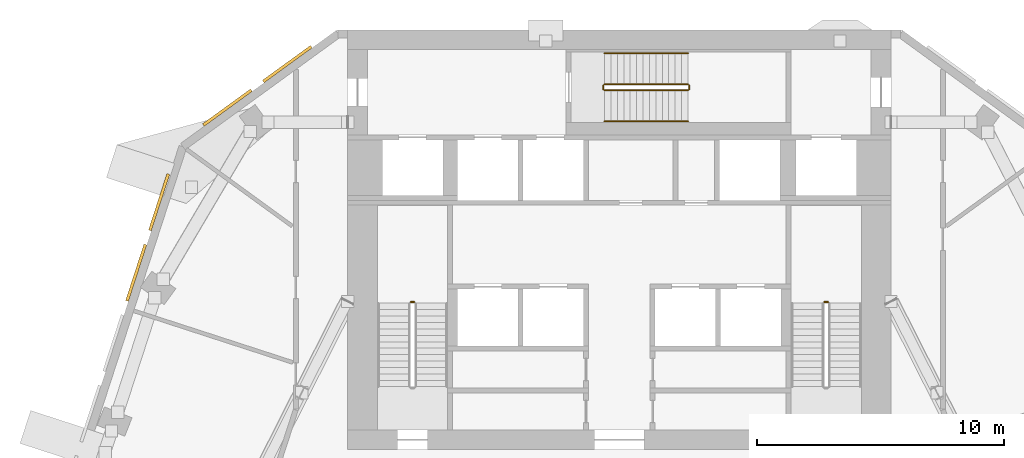
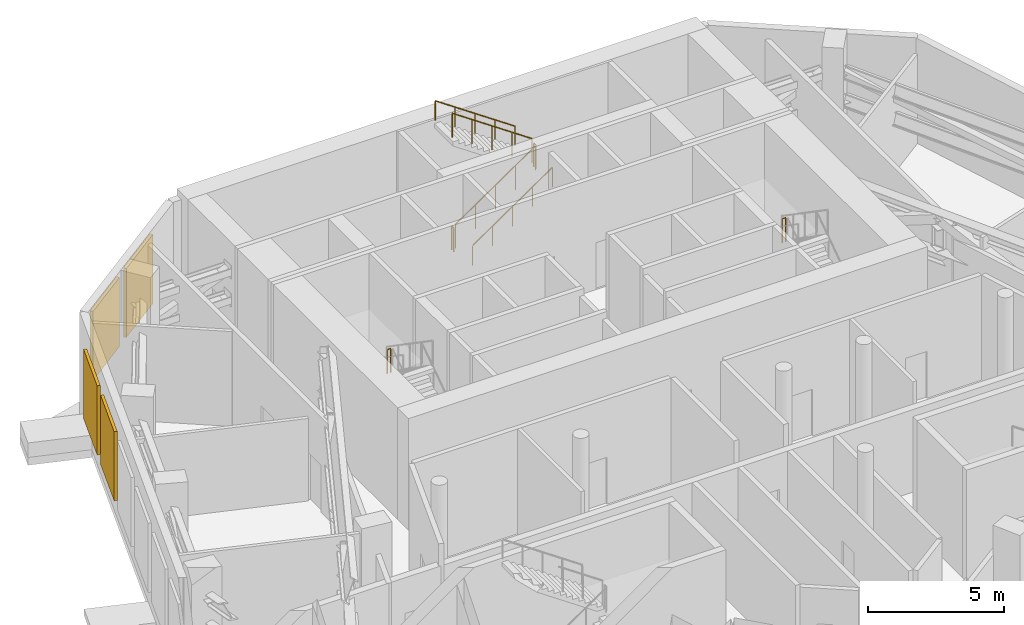
# One storey, part 15 of 16: 8 railings, 4 shading devices.
"""IFC4 building model written with IfcOpenShell, lengths in metres."""

import ifcopenshell
import ifcopenshell.guid

model = None  # the IFC model being written
_history = None  # IfcOwnerHistory: only IFC2X3 demands one
_inside = {}  # id of a spatial element -> (the spatial element, [elements in it])
_under = {}  # id of a project, library or spatial element -> (it, [spatial elements below it])
_declared = {}  # id of a project -> (the project, [libraries it declares])
_typed = {}  # id of a type object -> (the type object, [elements of that type])
_made_of = {}  # id of a material, layer set ... -> (it, [elements and type objects made of it])


def new_model(schema):
    """Start an empty IFC model of exactly this schema.

    Asked for "IFC4X3", IfcOpenShell would pick the latest addendum, in which some entities
    have other attributes; the version numbers below select the first issue.
    IFC2X3 requires an IfcOwnerHistory on every rooted entity: one is made here for all.
    """
    global model, _history
    if schema == "IFC4X3":
        model = ifcopenshell.file(schema_version=(4, 3, 0, 0))
    else:
        model = ifcopenshell.file(schema=schema)
    _inside.clear()
    _under.clear()
    _declared.clear()
    _typed.clear()
    _made_of.clear()
    _history = None
    if model.schema == "IFC2X3":
        org = make("IfcOrganization", Name="unknown")
        user = make(
            "IfcPersonAndOrganization",
            ThePerson=make("IfcPerson", FamilyName="unknown"),
            TheOrganization=org,
        )
        app = make(
            "IfcApplication",
            ApplicationDeveloper=org,
            Version="unknown",
            ApplicationFullName="unknown",
            ApplicationIdentifier="unknown",
        )
        _history = make(
            "IfcOwnerHistory",
            OwningUser=user,
            OwningApplication=app,
            ChangeAction="ADDED",
            CreationDate=0,
        )
    return model


def make(cls, **values):
    """One entity of the class cls with the attributes given. An attribute that is None is left unset."""
    return model.create_entity(
        cls, **{name: value for name, value in values.items() if value is not None}
    )


def rooted(cls, **values):
    """An entity with a GlobalId (a new one), such as an element, a storey or a relation."""
    return make(cls, GlobalId=ifcopenshell.guid.new(), OwnerHistory=_history, **values)


def si_unit(unit_type, name, prefix=None):
    """IfcSIUnit, for example si_unit("LENGTHUNIT", "METRE", prefix="MILLI")."""
    return make("IfcSIUnit", UnitType=unit_type, Prefix=prefix, Name=name)


def assignment(units):
    """IfcUnitAssignment: the units of a project."""
    return None if units is None else make("IfcUnitAssignment", Units=units)


def point(xyz):
    """IfcCartesianPoint."""
    return None if xyz is None else make("IfcCartesianPoint", Coordinates=xyz)


def direction(xyz):
    """IfcDirection."""
    return None if xyz is None else make("IfcDirection", DirectionRatios=xyz)


def frame(location, z_axis=None, x_axis=None):
    """IfcAxis2Placement3D, a coordinate frame: its origin and axes. An axis left out is left unset."""
    return make(
        "IfcAxis2Placement3D",
        Location=point(location),
        Axis=direction(z_axis),
        RefDirection=direction(x_axis),
    )


def frame_2d(location, x_axis=None):
    """IfcAxis2Placement2D, a coordinate frame in the plane: its origin and x axis."""
    return make(
        "IfcAxis2Placement2D", Location=point(location), RefDirection=direction(x_axis)
    )


def origin():
    """The frame at (0, 0, 0) with its axes left unset."""
    return frame((0.0, 0.0, 0.0))


def origin_2d():
    """The frame at (0, 0) in the plane with its x axis left unset."""
    return frame_2d((0.0, 0.0))


def place(relative_to, where):
    """IfcLocalPlacement: puts the frame where relative to a parent placement (None: the world)."""
    return make(
        "IfcLocalPlacement", PlacementRelTo=relative_to, RelativePlacement=where
    )


def context(
    kind, dimensions, precision=None, world=None, true_north=None, identifier=None
):
    """IfcGeometricRepresentationContext, for example the 3D "Model" context."""
    return make(
        "IfcGeometricRepresentationContext",
        ContextIdentifier=identifier,
        ContextType=kind,
        CoordinateSpaceDimension=dimensions,
        Precision=precision,
        WorldCoordinateSystem=world,
        TrueNorth=true_north,
    )


def subcontext(parent, identifier, kind, view, scale=None):
    """IfcGeometricRepresentationSubContext, for example "Body" below "Model"."""
    return make(
        "IfcGeometricRepresentationSubContext",
        ContextIdentifier=identifier,
        ContextType=kind,
        ParentContext=parent,
        TargetScale=scale,
        TargetView=view,
    )


def project(units=None, contexts=None):
    """IfcProject with its units and contexts."""
    return rooted(
        "IfcProject",
        Name="project",
        RepresentationContexts=contexts,
        UnitsInContext=assignment(units),
    )


def spatial(cls, under=None, at=None, **own):
    """A site, building, storey or space (cls), placed at a placement, below another one or the project."""
    s = rooted(cls, ObjectPlacement=at, **own)
    if under is not None:
        _under.setdefault(under.id(), (under, []))[1].append(s)
    return s


def profile(cls, at=None, kind="AREA", **sizes):
    """A parametric profile (cls). Its sizes go by their IFC names, for example OverallWidth=200.0."""
    return make(cls, ProfileType=kind, Position=at, **sizes)


def rectangle(**sizes):
    """IfcRectangleProfileDef."""
    return profile("IfcRectangleProfileDef", **sizes)


def circle(**sizes):
    """IfcCircleProfileDef."""
    return profile("IfcCircleProfileDef", **sizes)


def extrude(swept, where, along, depth):
    """IfcExtrudedAreaSolid: the profile swept, set in the frame where, extruded along a direction by depth."""
    return make(
        "IfcExtrudedAreaSolid",
        SweptArea=swept,
        Position=where,
        ExtrudedDirection=direction(along),
        Depth=depth,
    )


def shape(context_of_items, identifier, shape_type, items):
    """IfcShapeRepresentation: the items that make up one representation, for example the "Body"."""
    return make(
        "IfcShapeRepresentation",
        ContextOfItems=context_of_items,
        RepresentationIdentifier=identifier,
        RepresentationType=shape_type,
        Items=items,
    )


def material(Name=None, Category=None):
    """IfcMaterial."""
    return make("IfcMaterial", Name=Name, Category=Category)


def made_of(thing, what):
    """Note that an element or type object is made of a material, layer set ...; save() writes the relation."""
    if what is not None:
        _made_of.setdefault(what.id(), (what, []))[1].append(thing)
    return thing


def type_object(cls, material=None, **own):
    """A type object (cls), such as IfcWallType, which elements share."""
    return made_of(rooted(cls, **own), material)


def element(
    cls,
    number,
    at=None,
    inside=None,
    cuts=None,
    type_object=None,
    material=None,
    context=None,
    identifier="Body",
    shape_type=None,
    held_by="IfcProductDefinitionShape",
    body=None,
    shapes=None,
    **own,
):
    """One element of the class cls, such as IfcWall. Its Tag is "e" and its number.

    at: its placement. inside: the storey or other place that contains it. cuts: it is an
    opening in that element (IfcRelVoidsElement). A single representation is given by context,
    identifier, shape_type and body (its items); several are given by shapes. held_by: the class
    of the entity that holds the representations. save() writes the other relations.
    """
    e = rooted(cls, Tag="e%d" % number, ObjectPlacement=at, **own)
    if body is not None:
        shapes = [shape(context, identifier, shape_type, body)]
    if shapes is not None:
        e.Representation = make(held_by, Representations=shapes)
    if inside is not None:
        _inside.setdefault(inside.id(), (inside, []))[1].append(e)
    if cuts is not None:
        rooted(
            "IfcRelVoidsElement", RelatingBuildingElement=cuts, RelatedOpeningElement=e
        )
    if type_object is not None:
        _typed.setdefault(type_object.id(), (type_object, []))[1].append(e)
    return made_of(e, material)


def aggregate(whole, parts):
    """IfcRelAggregates: a whole, such as a stair, and the parts it consists of."""
    return rooted("IfcRelAggregates", RelatingObject=whole, RelatedObjects=parts)


def save(model, path):
    """Write the relations noted so far, then the file.

    IfcRelAggregates (storeys below a building ...), IfcRelContainedInSpatialStructure (elements
    in a storey), IfcRelDefinesByType, IfcRelAssociatesMaterial and IfcRelDeclares: one each for
    every whole, place, type object, material and project.
    """
    for whole, parts in _under.values():
        aggregate(whole, parts)
    for where, things in _inside.values():
        rooted(
            "IfcRelContainedInSpatialStructure",
            RelatedElements=things,
            RelatingStructure=where,
        )
    for kind, things in _typed.values():
        rooted("IfcRelDefinesByType", RelatedObjects=things, RelatingType=kind)
    for what, things in _made_of.values():
        rooted("IfcRelAssociatesMaterial", RelatedObjects=things, RelatingMaterial=what)
    for by, libraries in _declared.values():
        rooted("IfcRelDeclares", RelatingContext=by, RelatedDefinitions=libraries)
    model.write(path)


model = new_model("IFC4")

# Units and contexts
model_context = context("Model", 3, precision=1e-05, world=origin(), true_north=direction((0.0, 1.0)))
body_context = subcontext(model_context, "Body", "Model", "MODEL_VIEW")
ifc_project = project(units=[si_unit("LENGTHUNIT", "METRE"), si_unit("AREAUNIT", "SQUARE_METRE"), si_unit("VOLUMEUNIT", "CUBIC_METRE"), si_unit("PLANEANGLEUNIT", "RADIAN"), si_unit("MASSUNIT", "GRAM", prefix="KILO")], contexts=[model_context])

# Site, building, storey
site_placement = place(None, origin())
site = spatial("IfcSite", under=ifc_project, at=site_placement, CompositionType="ELEMENT")
building_placement = place(site_placement, origin())
building = spatial("IfcBuilding", under=site, at=building_placement, Name="White Candle Pilgrim Tower", CompositionType="ELEMENT")
storey_placement = place(building_placement, frame((0.0, 0.0, 243.300048828125)))
storey = spatial("IfcBuildingStorey", under=building, at=storey_placement, Name="L57", CompositionType="ELEMENT", Elevation=243.300048828125)

# Shading devices
ifc_material_1 = material(Name="Aluminium", Category="aluminium")
shading_device_type = type_object("IfcShadingDeviceType", Name="Plant louvre LV2 2400x3100 aluminium framed", PredefinedType="USERDEFINED", material=ifc_material_1)
for number, where, z_axis, x_axis, name in (
    (1, (56.5546875, 86.614990234375, 0.7998046875), (0.0, 0.0, 1.0), (-0.809016997309, -0.587785248254, 0.0), "Plant louvre L57 NW chamfer 1"),
    (2, (54.12744140625, 84.8515625, 0.7998046875), (0.0, 0.0, 1.0), (-0.809016997309, -0.587785248254, 0.0), "Plant louvre L57 NW chamfer 2"),
    (3, (51.363525390625, 81.020751953125, 0.7998046875), (0.0, 0.0, 1.0), (-0.309016977212, -0.951056521872, 0.0), "Plant louvre L57 WNW 1"),
    (4, (50.436279296875, 78.16748046875, 0.7998046875), (0.0, 0.0, 1.0), (-0.309016977212, -0.951056521872, 0.0), "Plant louvre L57 WNW 2"),
):
    element("IfcShadingDevice", number, at=place(storey_placement, frame(where, z_axis=z_axis, x_axis=x_axis)), inside=storey, type_object=shading_device_type, Name=name, ObjectType="LOUVRE", PredefinedType="USERDEFINED", context=body_context, shape_type="SweptSolid", body=[
        extrude(rectangle(XDim=2.39990234375, YDim=0.1201171875, at=origin_2d()), origin(), (0.0, 0.0, 1.0), 3.10009765625),
    ])

# Railings
ifc_material_2 = material(Name="Stainless steel", Category="steel")
railing_type_1 = type_object("IfcRailingType", Name="Stair guard stainless steel 1100 mm", PredefinedType="GUARDRAIL", material=ifc_material_2)
for number, where, name in (
    (5, (61.699951171875, 76.97998046875, 2.5), "L57 ST1 stair guard 2"),
    (6, (78.449951171875, 76.97998046875, 2.5), "L57 ST2 stair guard 2"),
):
    element("IfcRailing", number, at=place(storey_placement, frame(where)), inside=storey, type_object=railing_type_1, Name=name, PredefinedType="GUARDRAIL", context=body_context, shape_type="SweptSolid", body=[
        extrude(circle(Radius=0.02392578125, at=origin_2d()), frame((0.0, 0.0, 1.076171875), z_axis=(-1.0, 0.0, 0.0), x_axis=(0.0, -1.0, 0.0)), (0.0, 0.0, 1.0), 0.14990234375),
        extrude(circle(Radius=0.02099609375, at=origin_2d()), origin(), (0.0, 0.0, 1.0), 1.052001953125),
        extrude(circle(Radius=0.02099609375, at=origin_2d()), frame((-0.14990234375, 0.0, 0.0)), (0.0, 0.0, 1.0), 1.052001953125),
    ])
railing_1_placement = place(storey_placement, frame((69.39990234375, 85.550048828125, 0.178466796875)))
element("IfcRailing", 7, at=railing_1_placement, inside=storey, type_object=railing_type_1, Name="L57 ST3 stair guard 1", PredefinedType="GUARDRAIL", context=body_context, shape_type="SweptSolid", body=[
    extrude(circle(Radius=0.02392578125, at=origin_2d()), frame((0.0, 0.0, 1.076171875), z_axis=(0.824304150675, 0.0, 0.566147213346), x_axis=(0.0, 1.0, 0.0)), (0.0, 0.0, 1.0), 4.1005859375),
    extrude(circle(Radius=0.02099609375, at=origin_2d()), origin(), (0.0, 0.0, 1.0), 1.052001953125),
    extrude(circle(Radius=0.02099609375, at=origin_2d()), frame((0.844970703125, 0.0, 0.580322265625)), (0.0, 0.0, 1.0), 1.052001953125),
    extrude(circle(Radius=0.02099609375, at=origin_2d()), frame((1.68994140625, 0.0, 1.16064453125)), (0.0, 0.0, 1.0), 1.052001953125),
    extrude(circle(Radius=0.02099609375, at=origin_2d()), frame((2.53515625, 0.0, 1.7412109375)), (0.0, 0.0, 1.0), 1.052001953125),
    extrude(circle(Radius=0.02099609375, at=origin_2d()), frame((3.380126953125, 0.0, 2.321533203125)), (0.0, 0.0, 1.0), 1.052001953125),
])
railing_2_placement = place(storey_placement, frame((72.830078125, 85.60009765625, 2.5)))
element("IfcRailing", 8, at=railing_2_placement, inside=storey, type_object=railing_type_1, Name="L57 ST3 stair guard 2", PredefinedType="GUARDRAIL", context=body_context, shape_type="SweptSolid", body=[
    extrude(circle(Radius=0.02392578125, at=origin_2d()), frame((0.0, 0.0, 1.076171875), z_axis=(0.0, 1.0, 0.0), x_axis=(-1.0, 0.0, 0.0)), (0.0, 0.0, 1.0), 0.14990234375),
    extrude(circle(Radius=0.02099609375, at=origin_2d()), origin(), (0.0, 0.0, 1.0), 1.052001953125),
    extrude(circle(Radius=0.02099609375, at=origin_2d()), frame((0.0, 0.14990234375, 0.0)), (0.0, 0.0, 1.0), 1.052001953125),
])
railing_3_placement = place(storey_placement, frame((72.780029296875, 85.800048828125, 2.678466796875)))
element("IfcRailing", 9, at=railing_3_placement, inside=storey, type_object=railing_type_1, Name="L57 ST3 stair guard 3", PredefinedType="GUARDRAIL", context=body_context, shape_type="SweptSolid", body=[
    extrude(circle(Radius=0.02392578125, at=origin_2d()), frame((0.0, 0.0, 1.076171875), z_axis=(-0.824304150675, 0.0, 0.566147213346), x_axis=(0.0, -1.0, 0.0)), (0.0, 0.0, 1.0), 4.1005859375),
    extrude(circle(Radius=0.02099609375, at=origin_2d()), origin(), (0.0, 0.0, 1.0), 1.052001953125),
    extrude(circle(Radius=0.02099609375, at=origin_2d()), frame((-0.844970703125, 0.0, 0.580322265625)), (0.0, 0.0, 1.0), 1.052001953125),
    extrude(circle(Radius=0.02099609375, at=origin_2d()), frame((-1.68994140625, 0.0, 1.16064453125)), (0.0, 0.0, 1.0), 1.052001953125),
    extrude(circle(Radius=0.02099609375, at=origin_2d()), frame((-2.53515625, 0.0, 1.7412109375)), (0.0, 0.0, 1.0), 1.052001953125),
    extrude(circle(Radius=0.02099609375, at=origin_2d()), frame((-3.380126953125, 0.0, 2.321533203125)), (0.0, 0.0, 1.0), 1.052001953125),
])
railing_4_placement = place(storey_placement, frame((69.35009765625, 85.60009765625, 0.0)))
element("IfcRailing", 10, at=railing_4_placement, inside=storey, type_object=railing_type_1, Name="L57 ST3 stair guard 4", PredefinedType="GUARDRAIL", context=body_context, shape_type="SweptSolid", body=[
    extrude(circle(Radius=0.02392578125, at=origin_2d()), frame((0.0, 0.0, 1.076171875), z_axis=(0.0, 1.0, 0.0), x_axis=(-1.0, 0.0, 0.0)), (0.0, 0.0, 1.0), 0.14990234375),
    extrude(circle(Radius=0.02099609375, at=origin_2d()), origin(), (0.0, 0.0, 1.0), 1.052001953125),
    extrude(circle(Radius=0.02099609375, at=origin_2d()), frame((0.0, 0.14990234375, 0.0)), (0.0, 0.0, 1.0), 1.052001953125),
])
railing_type_2 = type_object("IfcRailingType", Name="Stair handrail stainless steel", PredefinedType="HANDRAIL", material=ifc_material_2)
railing_5_placement = place(storey_placement, frame((69.39990234375, 84.300048828125, 0.178466796875)))
element("IfcRailing", 11, at=railing_5_placement, inside=storey, type_object=railing_type_2, Name="L57 ST3 stair handrail 1", PredefinedType="HANDRAIL", context=body_context, shape_type="SweptSolid", body=[
    extrude(circle(Radius=0.02392578125, at=origin_2d()), frame((0.0, 0.0, 0.8759765625), z_axis=(0.824304150675, 0.0, 0.566147213346), x_axis=(0.0, 1.0, 0.0)), (0.0, 0.0, 1.0), 4.1005859375),
    extrude(circle(Radius=0.02099609375, at=origin_2d()), origin(), (0.0, 0.0, 1.0), 0.851806640625),
    extrude(circle(Radius=0.02099609375, at=origin_2d()), frame((0.844970703125, 0.0, 0.580322265625)), (0.0, 0.0, 1.0), 0.851806640625),
    extrude(circle(Radius=0.02099609375, at=origin_2d()), frame((1.68994140625, 0.0, 1.16064453125)), (0.0, 0.0, 1.0), 0.851806640625),
    extrude(circle(Radius=0.02099609375, at=origin_2d()), frame((2.53515625, 0.0, 1.7412109375)), (0.0, 0.0, 1.0), 0.851806640625),
    extrude(circle(Radius=0.02099609375, at=origin_2d()), frame((3.380126953125, 0.0, 2.321533203125)), (0.0, 0.0, 1.0), 0.851806640625),
])
railing_6_placement = place(storey_placement, frame((72.780029296875, 87.050048828125, 2.678466796875)))
element("IfcRailing", 12, at=railing_6_placement, inside=storey, type_object=railing_type_2, Name="L57 ST3 stair handrail 2", PredefinedType="HANDRAIL", context=body_context, shape_type="SweptSolid", body=[
    extrude(circle(Radius=0.02392578125, at=origin_2d()), frame((0.0, 0.0, 0.8759765625), z_axis=(-0.824304150675, 0.0, 0.566147213346), x_axis=(0.0, -1.0, 0.0)), (0.0, 0.0, 1.0), 4.1005859375),
    extrude(circle(Radius=0.02099609375, at=origin_2d()), origin(), (0.0, 0.0, 1.0), 0.851806640625),
    extrude(circle(Radius=0.02099609375, at=origin_2d()), frame((-0.844970703125, 0.0, 0.580322265625)), (0.0, 0.0, 1.0), 0.851806640625),
    extrude(circle(Radius=0.02099609375, at=origin_2d()), frame((-1.68994140625, 0.0, 1.16064453125)), (0.0, 0.0, 1.0), 0.851806640625),
    extrude(circle(Radius=0.02099609375, at=origin_2d()), frame((-2.53515625, 0.0, 1.7412109375)), (0.0, 0.0, 1.0), 0.851806640625),
    extrude(circle(Radius=0.02099609375, at=origin_2d()), frame((-3.380126953125, 0.0, 2.321533203125)), (0.0, 0.0, 1.0), 0.851806640625),
])

save(model, "model.ifc")
